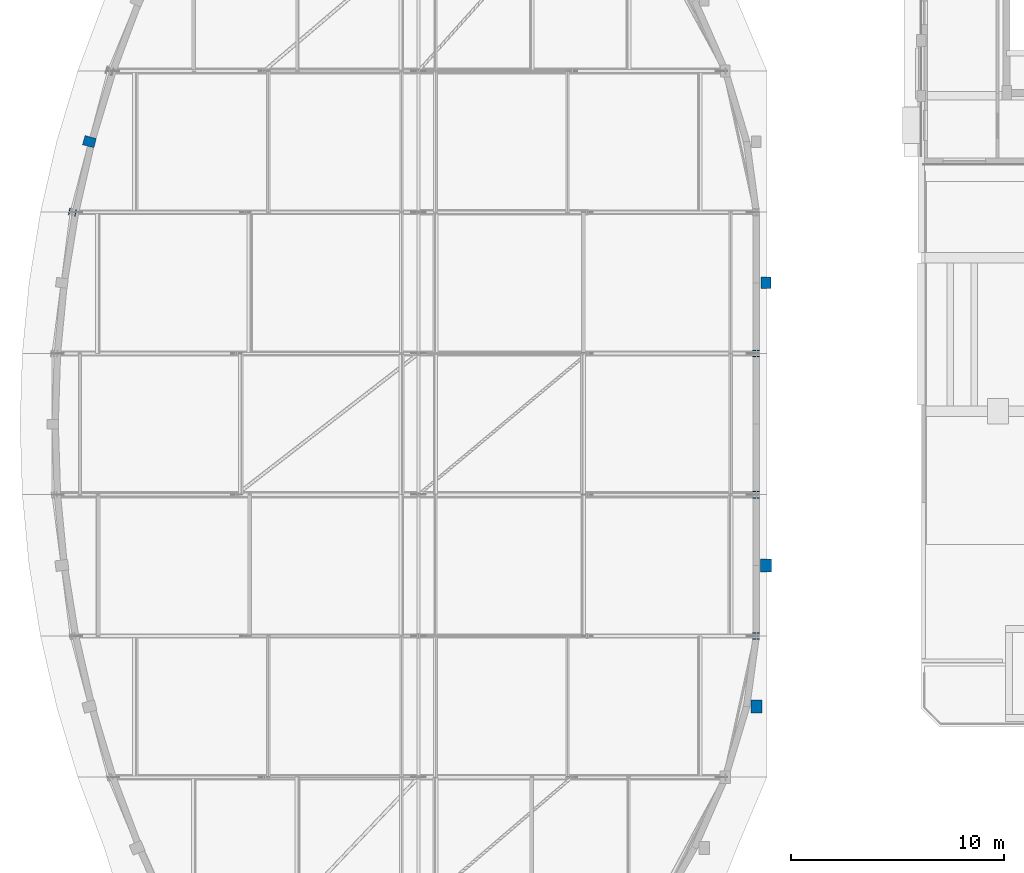
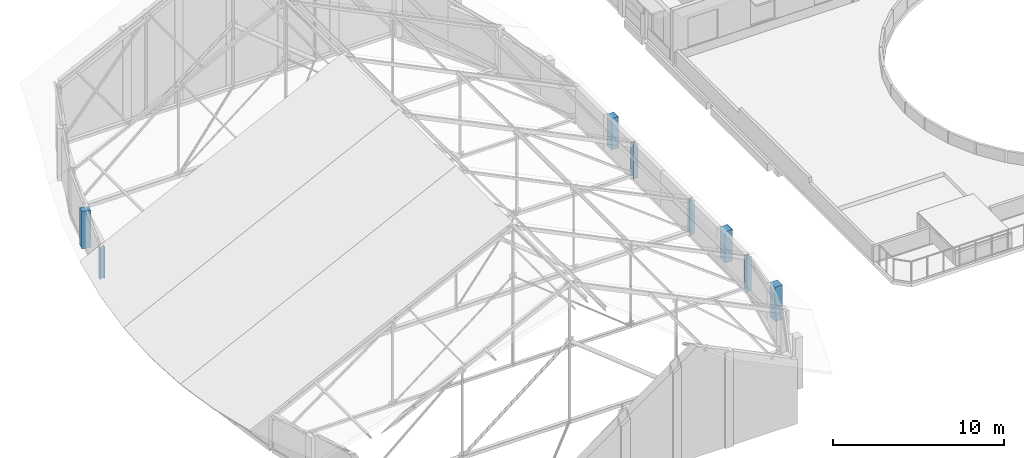
# One storey, part 4 of 78: 8 columns.
"""IFC4 building model written with IfcOpenShell, lengths in metres."""

from ifc_helpers import new_model, si_unit, direction, frame, origin, origin_2d, place, context, subcontext, project, spatial, rectangle, i_section, extrude, material, material_profile, profile_set, type_object, element, save


model = new_model("IFC4")

# Units and contexts
model_context = context("Model", 3, precision=1e-05, world=origin(), true_north=direction((0.0, 1.0)))
body_context = subcontext(model_context, "Body", "Model", "MODEL_VIEW")
ifc_project = project(units=[si_unit("LENGTHUNIT", "METRE"), si_unit("AREAUNIT", "SQUARE_METRE"), si_unit("VOLUMEUNIT", "CUBIC_METRE"), si_unit("PLANEANGLEUNIT", "RADIAN"), si_unit("MASSUNIT", "GRAM", prefix="KILO")], contexts=[model_context])

# Site, building, storey
site_placement = place(None, origin())
site = spatial("IfcSite", under=ifc_project, at=site_placement, CompositionType="ELEMENT")
building_placement = place(site_placement, origin())
building = spatial("IfcBuilding", under=site, at=building_placement, Name="Kelanivale Promenade Academy", CompositionType="ELEMENT")
storey_placement = place(building_placement, frame((0.0, 0.0, 16.199951171875)))
storey = spatial("IfcBuildingStorey", under=building, at=storey_placement, Name="L04", CompositionType="ELEMENT", Elevation=16.199951171875)

# Columns
ifc_material_1 = material(Name="Concrete C40/50", Category="concrete")
ifc_material_profile_1 = material_profile(ifc_material_1, rectangle(XDim=0.449951171875, YDim=0.550048828125, at=origin_2d()), Name="RC-PIL 450x550")
ifc_profile_set_1 = profile_set([ifc_material_profile_1], Name="Concrete C40/50")
column_type_1 = type_object("IfcColumnType", Name="PL-17 RC-PIL 450x550", PredefinedType="PILASTER", material=ifc_profile_set_1)
column_1_placement = place(storey_placement, frame((4.157958984375, 69.45703125, 0.0), z_axis=(0.0, 0.0, 1.0), x_axis=(0.2549394954, 0.966957007154, 0.0)))
element("IfcColumn", 1, at=column_1_placement, inside=storey, type_object=column_type_1, Name="Column PL-17 at (4.2, 69.5) L04", PredefinedType="PILASTER", context=body_context, shape_type="SweptSolid", body=[
    extrude(rectangle(XDim=0.449951171875, YDim=0.550048828125, at=origin_2d()), origin(), (0.0, 0.0, 1.0), 2.6611328125),
])
column_2_placement = place(storey_placement, frame((35.909912109375, 62.8291015625, 0.0), z_axis=(0.0, 0.0, 1.0), x_axis=(1.0, 0.0, 0.0)))
element("IfcColumn", 2, at=column_2_placement, inside=storey, type_object=column_type_1, Name="Column PL-17 at (35.9, 62.8) L04", PredefinedType="PILASTER", context=body_context, shape_type="SweptSolid", body=[
    extrude(rectangle(XDim=0.449951171875, YDim=0.550048828125, at=origin_2d()), origin(), (0.0, 0.0, 1.0), 2.237060546875),
])
ifc_material_profile_2 = material_profile(ifc_material_1, rectangle(XDim=0.5, YDim=0.60009765625, at=origin_2d()), Name="RC-PIL 500x600")
ifc_profile_set_2 = profile_set([ifc_material_profile_2], Name="Concrete C40/50")
column_type_2 = type_object("IfcColumnType", Name="PL-18 RC-PIL 500x600", PredefinedType="PILASTER", material=ifc_profile_set_2)
column_3_placement = place(storey_placement, frame((35.4599609375, 42.943115234375, 0.0), z_axis=(0.0, 0.0, 1.0), x_axis=(1.0, 0.0, 0.0)))
element("IfcColumn", 3, at=column_3_placement, inside=storey, type_object=column_type_2, Name="Column PL-18 at (35.5, 42.9) L04", PredefinedType="PILASTER", context=body_context, shape_type="SweptSolid", body=[
    extrude(rectangle(XDim=0.5, YDim=0.60009765625, at=origin_2d()), origin(), (0.0, 0.0, 1.0), 2.4560546875),
])
column_4_placement = place(storey_placement, frame((35.909912109375, 49.571044921875, 0.0), z_axis=(0.0, 0.0, 1.0), x_axis=(1.0, 0.0, 0.0)))
element("IfcColumn", 4, at=column_4_placement, inside=storey, type_object=column_type_2, Name="Column PL-18 at (35.9, 49.6) L04", PredefinedType="PILASTER", context=body_context, shape_type="SweptSolid", body=[
    extrude(rectangle(XDim=0.5, YDim=0.60009765625, at=origin_2d()), origin(), (0.0, 0.0, 1.0), 2.237060546875),
])
ifc_material_2 = material(Name="Steel S355", Category="steel")
ifc_material_profile_3 = material_profile(ifc_material_2, i_section(OverallWidth=0.307373046875, OverallDepth=0.314453125, WebThickness=0.011962890625, FlangeThickness=0.018798828125, FilletRadius=0.01513671875, at=origin_2d()), Name="UC 305x305x118")
ifc_profile_set_3 = profile_set([ifc_material_profile_3], Name="Steel S355")
column_type_3 = type_object("IfcColumnType", Name="SC-04 UC 305x305x118", PredefinedType="COLUMN", material=ifc_profile_set_3)
column_5_placement = place(storey_placement, frame((3.35888671875, 66.14306640625, 0.0), z_axis=(0.0, 0.0, 1.0), x_axis=(0.191151636272, 0.981560518741, 0.0)))
element("IfcColumn", 5, at=column_5_placement, inside=storey, type_object=column_type_3, Name="Column SC-04 at (3.4, 66.1) L04", PredefinedType="COLUMN", context=body_context, shape_type="SweptSolid", body=[
    extrude(i_section(OverallWidth=0.307373046875, OverallDepth=0.314453125, WebThickness=0.011962890625, FlangeThickness=0.018798828125, FilletRadius=0.01513671875, at=origin_2d()), origin(), (0.0, 0.0, 1.0), 2.27001953125),
])
for number, where, z_axis, x_axis, name in (
    (6, (35.449951171875, 46.257080078125, 0.0), (0.0, 0.0, 1.0), (1.0, 0.0, 0.0), "Column SC-04 at (35.5, 46.3) L04"),
    (7, (35.449951171875, 52.885986328125, 0.0), (0.0, 0.0, 1.0), (1.0, 0.0, 0.0), "Column SC-04 at (35.5, 52.9) L04"),
    (8, (35.449951171875, 59.513916015625, 0.0), (0.0, 0.0, 1.0), (1.0, 0.0, 0.0), "Column SC-04 at (35.5, 59.5) L04"),
):
    element("IfcColumn", number, at=place(storey_placement, frame(where, z_axis=z_axis, x_axis=x_axis)), inside=storey, type_object=column_type_3, Name=name, PredefinedType="COLUMN", context=body_context, shape_type="SweptSolid", body=[
        extrude(i_section(OverallWidth=0.307373046875, OverallDepth=0.314453125, WebThickness=0.011962890625, FlangeThickness=0.018798828125, FilletRadius=0.01513671875, at=origin_2d()), origin(), (0.0, 0.0, 1.0), 2.4609375),
    ])

save(model, "model.ifc")
